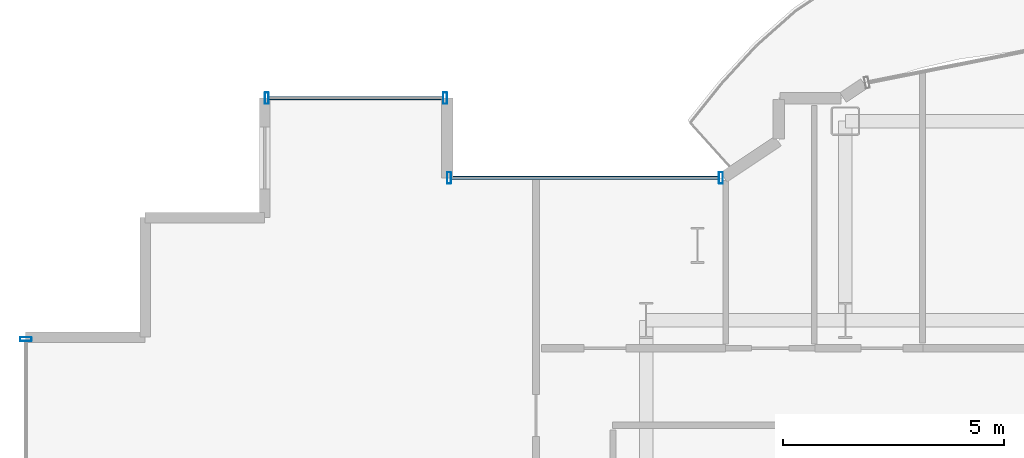
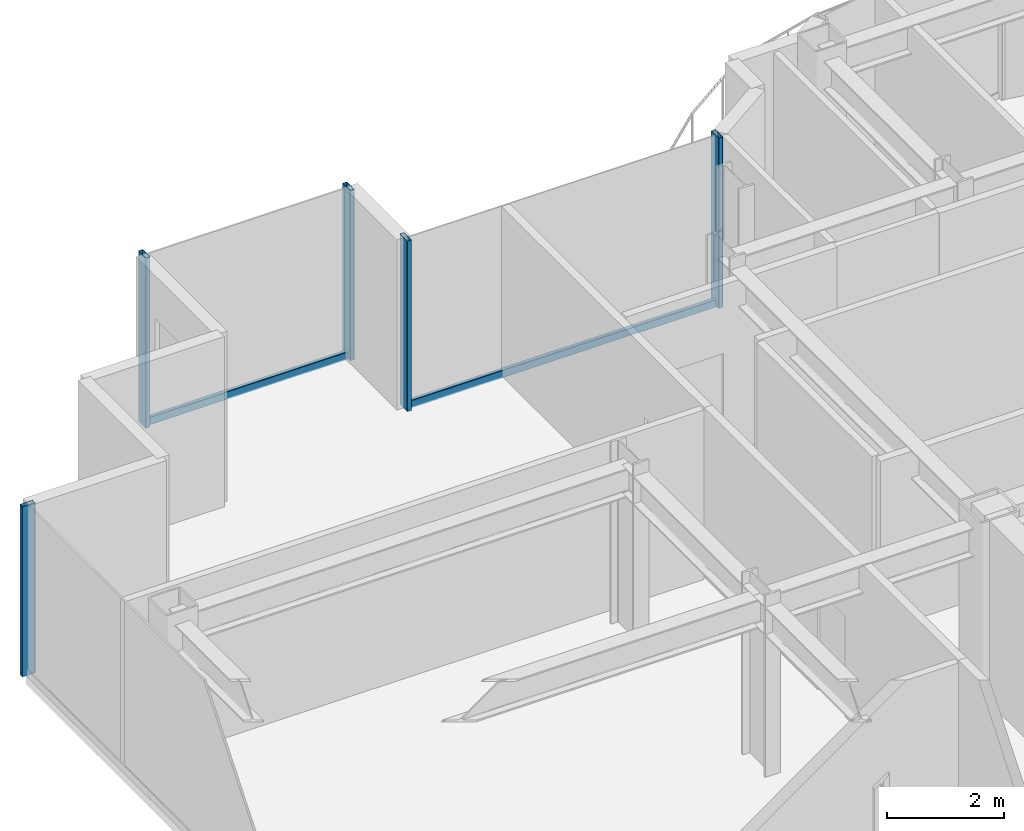
# One storey, part 8 of 21: 7 members, 3 elements without a shape of their own.
"""IFC4 building model written with IfcOpenShell, lengths in metres."""

from ifc_helpers import new_model, si_unit, direction, frame, origin, origin_2d, place, context, subcontext, project, spatial, hollow_rectangle, extrude, source, transform, mapped, material, layer, layer_set, material_profile, profile_set, type_object, element, aggregate, save


model = new_model("IFC4")

# Units and contexts
model_context = context("Model", 3, precision=1e-05, world=origin(), true_north=direction((0.0, 1.0)))
body_context = subcontext(model_context, "Body", "Model", "MODEL_VIEW")
ifc_project = project(units=[si_unit("LENGTHUNIT", "METRE"), si_unit("AREAUNIT", "SQUARE_METRE"), si_unit("VOLUMEUNIT", "CUBIC_METRE"), si_unit("PLANEANGLEUNIT", "RADIAN"), si_unit("MASSUNIT", "GRAM", prefix="KILO")], contexts=[model_context])

# Site, building, storey
site_placement = place(None, origin())
site = spatial("IfcSite", under=ifc_project, at=site_placement, CompositionType="ELEMENT")
building_placement = place(site_placement, origin())
building = spatial("IfcBuilding", under=site, at=building_placement, Name="Nefas-Gora Pilgrimage Tower", CompositionType="ELEMENT")
storey_placement = place(building_placement, frame((0.0, 0.0, 248.39990234375)))
storey = spatial("IfcBuildingStorey", under=building, at=storey_placement, Name="L62", CompositionType="ELEMENT", Elevation=248.39990234375)

# Curtain wall, members
ifc_material_1 = material(Name="Dark ceramic-fritted solar-control aluminium-glass curtain wall", Category="aluminium")
ifc_layer_1 = layer(ifc_material_1, 0.219970703125)
ifc_layer_set_1 = layer_set([ifc_layer_1], Name="Dark ceramic-fritted solar-control aluminium-glass curtain wall")
curtain_wall_type_1 = type_object("IfcCurtainWallType", Name="CW-SYS-5", PredefinedType="NOTDEFINED", material=ifc_layer_set_1)
curtain_wall_1_placement = place(storey_placement, origin())
curtain_wall_1 = element("IfcCurtainWall", 1, at=curtain_wall_1_placement, inside=storey, type_object=curtain_wall_type_1, Name="L62 Unitised Curtain Wall CW5", PredefinedType="NOTDEFINED")
ifc_material_2 = material(Name="Anodised architectural aluminium", Category="aluminium")
ifc_material_profile_1 = material_profile(ifc_material_2, hollow_rectangle(XDim=0.090087890625, YDim=0.260009765625, WallThickness=0.006103515625, InnerFilletRadius=0.006103515625, OuterFilletRadius=0.011962890625, at=origin_2d()), Name="ALU MULLION 90x260")
ifc_profile_set_1 = profile_set([ifc_material_profile_1], Name="Anodised architectural aluminium")
member_type_1 = type_object("IfcMemberType", Name="CWM-MUL-5", PredefinedType="MULLION", material=ifc_profile_set_1)
shared_shape_1 = source(origin(), body_context, "Body", "SweptSolid", [
    extrude(hollow_rectangle(XDim=0.090087890625, YDim=0.260009765625, WallThickness=0.006103515625, InnerFilletRadius=0.006103515625, OuterFilletRadius=0.011962890625, at=origin_2d()), origin(), (0.0, 0.0, 1.0), 3.550048828125),
])
member_1_placement = place(storey_placement, frame((-9.56298828125, 21.219970703125, 0.0), z_axis=(0.0, 0.0, 1.0), x_axis=(-1.0, 0.0, 0.0)))
member_1 = element("IfcMember", 2, at=member_1_placement, type_object=member_type_1, Name="CW5 Mullion 1", PredefinedType="MULLION", context=body_context, shape_type="MappedRepresentation", body=[
    mapped(shared_shape_1, transform((0.0, 0.0, 0.0), x_axis=(1.0, 0.0, 0.0), y_axis=(0.0, 1.0, 0.0), z_axis=(0.0, 0.0, 1.0), scale=1.0)),
])
member_2_placement = place(storey_placement, frame((-15.705078125, 21.219970703125, 0.0), z_axis=(0.0, 0.0, 1.0), x_axis=(-1.0, 0.0, 0.0)))
member_2 = element("IfcMember", 3, at=member_2_placement, type_object=member_type_1, Name="CW5 Mullion 2", PredefinedType="MULLION", context=body_context, shape_type="MappedRepresentation", body=[
    mapped(shared_shape_1, transform((0.0, 0.0, 0.0), x_axis=(1.0, 0.0, 0.0), y_axis=(0.0, 1.0, 0.0), z_axis=(0.0, 0.0, 1.0), scale=1.0)),
])
ifc_material_profile_2 = material_profile(ifc_material_2, hollow_rectangle(XDim=0.080078125, YDim=0.159912109375, WallThickness=0.00439453125, InnerFilletRadius=0.00439453125, OuterFilletRadius=0.009033203125, at=origin_2d()), Name="ALU TRANSOM 80x160")
ifc_profile_set_2 = profile_set([ifc_material_profile_2], Name="Anodised architectural aluminium")
member_type_2 = type_object("IfcMemberType", Name="CWM-TRN-5", PredefinedType="USERDEFINED", material=ifc_profile_set_2)
shared_shape_2 = source(origin(), body_context, "Body", "SweptSolid", [
    extrude(hollow_rectangle(XDim=0.080078125, YDim=0.159912109375, WallThickness=0.00439453125, InnerFilletRadius=0.00439453125, OuterFilletRadius=0.009033203125, at=origin_2d()), origin(), (0.0, 0.0, 1.0), 6.052001953125),
])
member_3_placement = place(storey_placement, frame((-9.60791015625, 21.219970703125, 0.050048828125), z_axis=(-1.0, 0.0, 0.0), x_axis=(0.0, -1.0, 0.0)))
member_3 = element("IfcMember", 4, at=member_3_placement, type_object=member_type_2, Name="CW5 Spandrel Transom", ObjectType="TRANSOM", PredefinedType="USERDEFINED", context=body_context, shape_type="MappedRepresentation", body=[
    mapped(shared_shape_2, transform((0.0, 0.0, 0.0), x_axis=(1.0, 0.0, 0.0), y_axis=(0.0, 1.0, 0.0), z_axis=(0.0, 0.0, 1.0), scale=1.0)),
])
aggregate(curtain_wall_1, [member_1, member_2, member_3])

ifc_layer_2 = layer(ifc_material_1, 0.219970703125)
ifc_layer_set_2 = layer_set([ifc_layer_2], Name="Dark ceramic-fritted solar-control aluminium-glass curtain wall")
curtain_wall_type_2 = type_object("IfcCurtainWallType", Name="CW-SYS-3", PredefinedType="NOTDEFINED", material=ifc_layer_set_2)
curtain_wall_2_placement = place(storey_placement, origin())
curtain_wall_2 = element("IfcCurtainWall", 5, at=curtain_wall_2_placement, inside=storey, type_object=curtain_wall_type_2, Name="L62 Unitised Curtain Wall CW3", PredefinedType="NOTDEFINED")
ifc_material_profile_3 = material_profile(ifc_material_2, hollow_rectangle(XDim=0.090087890625, YDim=0.260009765625, WallThickness=0.006103515625, InnerFilletRadius=0.006103515625, OuterFilletRadius=0.011962890625, at=origin_2d()), Name="ALU MULLION 90x260")
ifc_profile_set_3 = profile_set([ifc_material_profile_3], Name="Anodised architectural aluminium")
member_type_3 = type_object("IfcMemberType", Name="CWM-MUL-3", PredefinedType="MULLION", material=ifc_profile_set_3)
shared_shape_3 = source(origin(), body_context, "Body", "SweptSolid", [
    extrude(hollow_rectangle(XDim=0.090087890625, YDim=0.260009765625, WallThickness=0.006103515625, InnerFilletRadius=0.006103515625, OuterFilletRadius=0.011962890625, at=origin_2d()), origin(), (0.0, 0.0, 1.0), 3.550048828125),
])
member_4_placement = place(storey_placement, frame((-15.794921875, 23.02001953125, 0.0), z_axis=(0.0, 0.0, 1.0), x_axis=(-1.0, 0.0, 0.0)))
member_4 = element("IfcMember", 6, at=member_4_placement, type_object=member_type_3, Name="CW3 Mullion 1", PredefinedType="MULLION", context=body_context, shape_type="MappedRepresentation", body=[
    mapped(shared_shape_3, transform((0.0, 0.0, 0.0), x_axis=(1.0, 0.0, 0.0), y_axis=(0.0, 1.0, 0.0), z_axis=(0.0, 0.0, 1.0), scale=1.0)),
])
member_5_placement = place(storey_placement, frame((-19.824951171875, 23.02001953125, 0.0), z_axis=(0.0, 0.0, 1.0), x_axis=(-1.0, 0.0, 0.0)))
member_5 = element("IfcMember", 7, at=member_5_placement, type_object=member_type_3, Name="CW3 Mullion 2", PredefinedType="MULLION", context=body_context, shape_type="MappedRepresentation", body=[
    mapped(shared_shape_3, transform((0.0, 0.0, 0.0), x_axis=(1.0, 0.0, 0.0), y_axis=(0.0, 1.0, 0.0), z_axis=(0.0, 0.0, 1.0), scale=1.0)),
])

# Curtain wall, member
curtain_wall_3_placement = place(storey_placement, origin())
curtain_wall_3 = element("IfcCurtainWall", 8, at=curtain_wall_3_placement, inside=storey, type_object=curtain_wall_type_2, Name="L62 Unitised Curtain Wall CW3", PredefinedType="NOTDEFINED")
member_6_placement = place(storey_placement, frame((-25.27001953125, 17.574951171875, 0.0), z_axis=(0.0, 0.0, 1.0), x_axis=(0.0, -1.0, 0.0)))
member_6 = element("IfcMember", 9, at=member_6_placement, type_object=member_type_3, Name="CW3 Mullion 1", PredefinedType="MULLION", context=body_context, shape_type="MappedRepresentation", body=[
    mapped(shared_shape_3, transform((0.0, 0.0, 0.0), x_axis=(1.0, 0.0, 0.0), y_axis=(0.0, 1.0, 0.0), z_axis=(0.0, 0.0, 1.0), scale=1.0)),
])
aggregate(curtain_wall_3, [member_6])

# Member
ifc_material_profile_4 = material_profile(ifc_material_2, hollow_rectangle(XDim=0.080078125, YDim=0.159912109375, WallThickness=0.00439453125, InnerFilletRadius=0.00439453125, OuterFilletRadius=0.009033203125, at=origin_2d()), Name="ALU TRANSOM 80x160")
ifc_profile_set_4 = profile_set([ifc_material_profile_4], Name="Anodised architectural aluminium")
member_type_4 = type_object("IfcMemberType", Name="CWM-TRN-3", PredefinedType="USERDEFINED", material=ifc_profile_set_4)
shared_shape_4 = source(origin(), body_context, "Body", "SweptSolid", [
    extrude(hollow_rectangle(XDim=0.080078125, YDim=0.159912109375, WallThickness=0.00439453125, InnerFilletRadius=0.00439453125, OuterFilletRadius=0.009033203125, at=origin_2d()), origin(), (0.0, 0.0, 1.0), 3.93994140625),
])
member_7_placement = place(storey_placement, frame((-15.840087890625, 23.02001953125, 0.050048828125), z_axis=(-1.0, 0.0, 0.0), x_axis=(0.0, -1.0, 0.0)))
member_7 = element("IfcMember", 10, at=member_7_placement, type_object=member_type_4, Name="CW3 Spandrel Transom", ObjectType="TRANSOM", PredefinedType="USERDEFINED", context=body_context, shape_type="MappedRepresentation", body=[
    mapped(shared_shape_4, transform((0.0, 0.0, 0.0), x_axis=(1.0, 0.0, 0.0), y_axis=(0.0, 1.0, 0.0), z_axis=(0.0, 0.0, 1.0), scale=1.0)),
])

aggregate(curtain_wall_2, [member_4, member_5, member_7])

save(model, "model.ifc")
